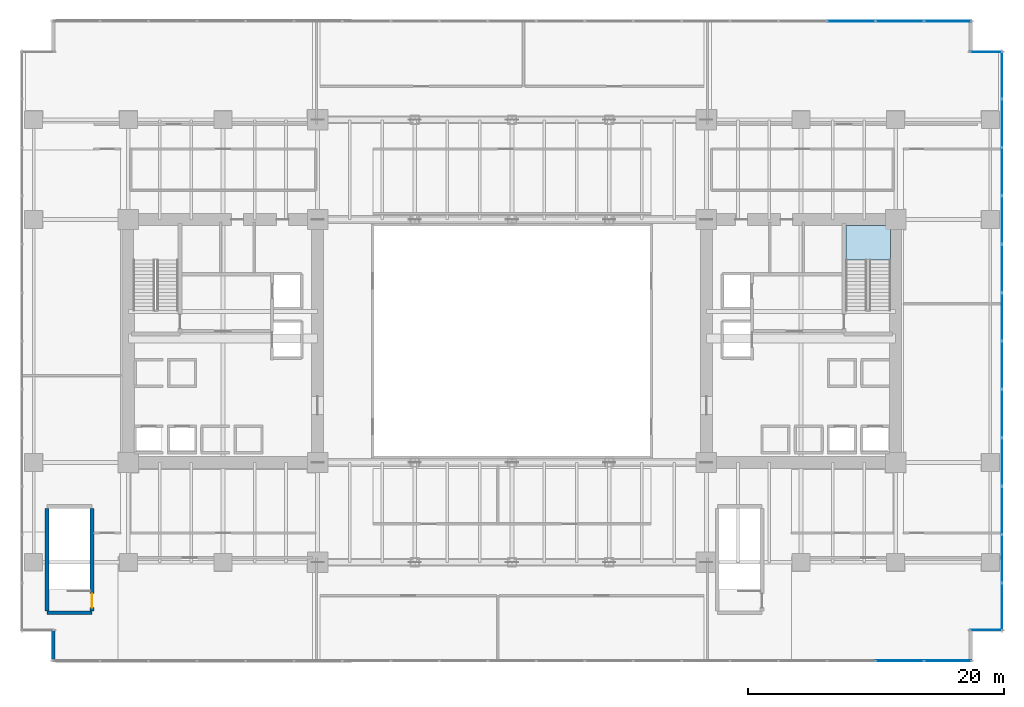
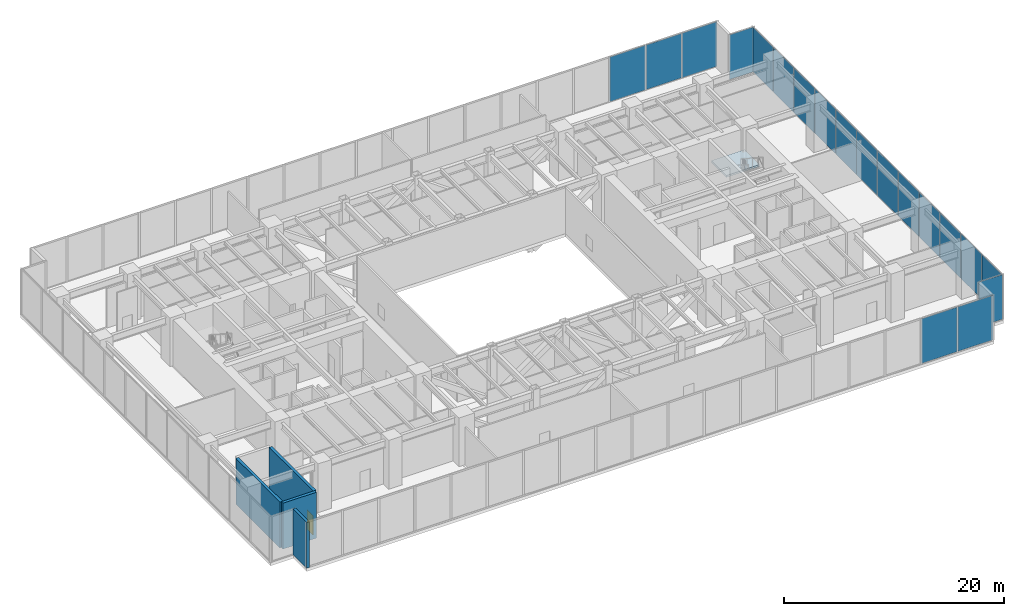
# One storey, part 27 of 35: 19 plates, 4 walls, 1 door, 1 slab, 1 opening, 6 elements without a shape of their own.
"""IFC4 building model written with IfcOpenShell, lengths in metres."""

from ifc_helpers import new_model, si_unit, direction, frame, frame_2d, origin, origin_2d, place, context, subcontext, project, spatial, polyline, rectangle, outline, extrude, source, transform, mapped, material, layer, layer_set, type_object, type_shapes, element, fill, aggregate, save


model = new_model("IFC4")

# Units and contexts
model_context = context("Model", 3, precision=1e-05, world=origin(), true_north=direction((0.0, 1.0)))
body_context = subcontext(model_context, "Body", "Model", "MODEL_VIEW")
ifc_project = project(units=[si_unit("LENGTHUNIT", "METRE"), si_unit("AREAUNIT", "SQUARE_METRE"), si_unit("VOLUMEUNIT", "CUBIC_METRE"), si_unit("PLANEANGLEUNIT", "RADIAN"), si_unit("MASSUNIT", "GRAM", prefix="KILO")], contexts=[model_context])

# Site, building, storey
site_placement = place(None, origin())
site = spatial("IfcSite", under=ifc_project, at=site_placement, CompositionType="ELEMENT")
building_placement = place(site_placement, origin())
building = spatial("IfcBuilding", under=site, at=building_placement, Name="Haelvirn Gate Laboratories", CompositionType="ELEMENT")
storey_placement = place(building_placement, frame((0.0, 0.0, 19.800048828125)))
storey = spatial("IfcBuildingStorey", under=building, at=storey_placement, Name="L05", CompositionType="ELEMENT", Elevation=19.800048828125)

# Stair, slab
ifc_material_1 = material(Name="Concrete C40/50", Category="concrete")
stair_type = type_object("IfcStairType", Name="ST-DOG-1650-R30", PredefinedType="HALF_TURN_STAIR", material=ifc_material_1)
stair_placement = place(storey_placement, origin())
stair = element("IfcStair", 1, at=stair_placement, inside=storey, type_object=stair_type, Name="L05 Escape Stair ST2", PredefinedType="HALF_TURN_STAIR")
ifc_layer_1 = layer(ifc_material_1, 0.199951171875, Name="SL-STAIR-LND")
ifc_layer_set_1 = layer_set([ifc_layer_1], Name="Concrete C40/50")
slab_type = type_object("IfcSlabType", Name="SL-STAIR-LND", PredefinedType="LANDING", material=ifc_layer_set_1)
slab_placement = place(storey_placement, frame((0.0, 0.0, 2.5)))
slab = element("IfcSlab", 2, at=slab_placement, type_object=slab_type, Name="ST2 landing 1", PredefinedType="LANDING", context=body_context, shape_type="SweptSolid", body=[
    extrude(outline(polyline([(67.0, 30.6201171875), (67.0, 33.35009765625), (63.5, 33.35009765625), (63.5, 30.6201171875), (67.0, 30.6201171875)])), origin(), (0.0, 0.0, 1.0), 0.199951171875),
])
aggregate(stair, [slab])

# Curtain wall, plate
ifc_material_2 = material(Name="Anodised bronze unitised aluminium & triple low-E glass", Category="aluminium")
ifc_layer_2 = layer(ifc_material_2, 0.18798828125, Name="CW-SYS-1")
ifc_layer_set_2 = layer_set([ifc_layer_2], Name="Anodised bronze unitised aluminium & triple low-E glass")
curtain_wall_type_1 = type_object("IfcCurtainWallType", Name="CW-SYS-1", PredefinedType="NOTDEFINED", material=ifc_layer_set_2)
curtain_wall_1_placement = place(storey_placement, origin())
curtain_wall_1 = element("IfcCurtainWall", 3, at=curtain_wall_1_placement, inside=storey, type_object=curtain_wall_type_1, Name="L05 Unitised Curtain Wall CW-L05-P0-E00-1", PredefinedType="NOTDEFINED")
ifc_material_3 = material(Name="Bronze solar-control triple low-E IGU 48 mm", Category="glass")
ifc_layer_3 = layer(ifc_material_3, 0.048095703125, Name="CWP-IGU-48")
ifc_layer_set_3 = layer_set([ifc_layer_3], Name="Bronze solar-control triple low-E IGU 48 mm")
plate_type_1 = type_object("IfcPlateType", Name="CWP-IGU-48", PredefinedType="CURTAIN_PANEL", material=ifc_layer_set_3)
shared_shape_1 = source(origin(), body_context, "Body", "SweptSolid", [
    extrude(rectangle(XDim=3.66943359375, YDim=0.048095703125, at=origin_2d()), origin(), (0.0, 0.0, 1.0), 4.93994140625),
])
plate_1_placement = place(storey_placement, frame((71.4853515625, -0.699951171875, 0.070068359375), z_axis=(0.0, 0.0, 1.0), x_axis=(1.0, 0.0, 0.0)))
plate_1 = element("IfcPlate", 4, at=plate_1_placement, type_object=plate_type_1, Name="CW1 panel 19.1", PredefinedType="CURTAIN_PANEL", context=body_context, shape_type="MappedRepresentation", body=[
    mapped(shared_shape_1, transform((0.0, 0.0, 0.0), scale=1.0)),
])

curtain_wall_2_placement = place(storey_placement, origin())
curtain_wall_2 = element("IfcCurtainWall", 5, at=curtain_wall_2_placement, inside=storey, type_object=curtain_wall_type_1, Name="L05 Unitised Curtain Wall CW-L05-P0-E06-1", PredefinedType="NOTDEFINED")
plate_2_placement = place(storey_placement, frame((71.4853515625, 49.300048828125, 0.070068359375), z_axis=(0.0, 0.0, 1.0), x_axis=(1.0, 0.0, 0.0)))
plate_2 = element("IfcPlate", 6, at=plate_2_placement, type_object=plate_type_1, Name="CW1 panel 19.1", PredefinedType="CURTAIN_PANEL", context=body_context, shape_type="MappedRepresentation", body=[
    mapped(shared_shape_1, transform((0.0, 0.0, 0.0), scale=1.0)),
])

# Plate
shared_shape_2 = source(origin(), body_context, "Body", "SweptSolid", [
    extrude(rectangle(XDim=3.70947265625, YDim=0.048095703125, at=origin_2d()), origin(), (0.0, 0.0, 1.0), 4.93994140625),
])
plate_3_placement = place(storey_placement, frame((67.7158203125, -0.699951171875, 0.070068359375), z_axis=(0.0, 0.0, 1.0), x_axis=(1.0, 0.0, 0.0)))
plate_3 = element("IfcPlate", 7, at=plate_3_placement, type_object=plate_type_1, Name="CW1 panel 18.1", PredefinedType="CURTAIN_PANEL", context=body_context, shape_type="MappedRepresentation", body=[
    mapped(shared_shape_2, transform((0.0, 0.0, 0.0), scale=1.0)),
])

aggregate(curtain_wall_1, [plate_3, plate_1])

plate_4_placement = place(storey_placement, frame((63.92626953125, 49.300048828125, 0.070068359375), z_axis=(0.0, 0.0, 1.0), x_axis=(1.0, 0.0, 0.0)))
plate_4 = element("IfcPlate", 8, at=plate_4_placement, type_object=plate_type_1, Name="CW1 panel 17.1", PredefinedType="CURTAIN_PANEL", context=body_context, shape_type="MappedRepresentation", body=[
    mapped(shared_shape_2, transform((0.0, 0.0, 0.0), scale=1.0)),
])

plate_5_placement = place(storey_placement, frame((67.7158203125, 49.300048828125, 0.070068359375), z_axis=(0.0, 0.0, 1.0), x_axis=(1.0, 0.0, 0.0)))
plate_5 = element("IfcPlate", 9, at=plate_5_placement, type_object=plate_type_1, Name="CW1 panel 18.1", PredefinedType="CURTAIN_PANEL", context=body_context, shape_type="MappedRepresentation", body=[
    mapped(shared_shape_2, transform((0.0, 0.0, 0.0), scale=1.0)),
])

aggregate(curtain_wall_2, [plate_4, plate_5, plate_2])

# Curtain wall, plate
ifc_layer_4 = layer(ifc_material_2, 0.181884765625, Name="CW-SYS-5")
ifc_layer_set_4 = layer_set([ifc_layer_4], Name="Anodised bronze unitised aluminium & triple low-E glass")
curtain_wall_type_2 = type_object("IfcCurtainWallType", Name="CW-SYS-5", PredefinedType="NOTDEFINED", material=ifc_layer_set_4)
curtain_wall_3_placement = place(storey_placement, origin())
curtain_wall_3 = element("IfcCurtainWall", 10, at=curtain_wall_3_placement, inside=storey, type_object=curtain_wall_type_2, Name="L05 Unitised Curtain Wall CW-L05-P0-E02-1", PredefinedType="NOTDEFINED")
ifc_material_4 = material(Name="Clear low-iron notched-corner triple IGU 42 mm", Category="glass")
ifc_layer_5 = layer(ifc_material_4, 0.0419921875, Name="CWP-NTC-42")
ifc_layer_set_5 = layer_set([ifc_layer_5], Name="Clear low-iron notched-corner triple IGU 42 mm")
plate_type_2 = type_object("IfcPlateType", Name="CWP-NTC-42", PredefinedType="CURTAIN_PANEL", material=ifc_layer_set_5)
shared_shape_3 = source(origin(), body_context, "Body", "SweptSolid", [
    extrude(rectangle(XDim=2.47998046875, YDim=0.0419921875, at=origin_2d()), origin(), (0.0, 0.0, 1.0), 4.949951171875),
])
type_shapes(plate_type_2, [shared_shape_3])
plate_6_placement = place(storey_placement, frame((74.47998046875, 1.699951171875, 0.06494140625), z_axis=(0.0, 0.0, 1.0), x_axis=(1.0, 0.0, 0.0)))
plate_6 = element("IfcPlate", 11, at=plate_6_placement, type_object=plate_type_2, Name="CW5 panel 1.1", PredefinedType="CURTAIN_PANEL", context=body_context, shape_type="MappedRepresentation", body=[
    mapped(shared_shape_3, transform((0.0, 0.0, 0.0), scale=1.0)),
])
aggregate(curtain_wall_3, [plate_6])

curtain_wall_4_placement = place(storey_placement, origin())
curtain_wall_4 = element("IfcCurtainWall", 12, at=curtain_wall_4_placement, inside=storey, type_object=curtain_wall_type_2, Name="L05 Unitised Curtain Wall CW-L05-P0-E04-1", PredefinedType="NOTDEFINED")
plate_7_placement = place(storey_placement, frame((74.47998046875, 46.89990234375, 0.06494140625), z_axis=(0.0, 0.0, 1.0), x_axis=(1.0, 0.0, 0.0)))
plate_7 = element("IfcPlate", 13, at=plate_7_placement, type_object=plate_type_2, Name="CW5 panel 1.1", PredefinedType="CURTAIN_PANEL", context=body_context, shape_type="MappedRepresentation", body=[
    mapped(shared_shape_3, transform((0.0, 0.0, 0.0), scale=1.0)),
])
aggregate(curtain_wall_4, [plate_7])

# Curtain wall, plates
curtain_wall_5_placement = place(storey_placement, origin())
curtain_wall_5 = element("IfcCurtainWall", 14, at=curtain_wall_5_placement, inside=storey, type_object=curtain_wall_type_1, Name="L05 Unitised Curtain Wall CW-L05-P0-E03", PredefinedType="NOTDEFINED")
shared_shape_4 = source(origin(), body_context, "Body", "SweptSolid", [
    extrude(rectangle(XDim=3.663330078125, YDim=0.048095703125, at=origin_2d()), origin(), (0.0, 0.0, 1.0), 4.93994140625),
])
plate_8_placement = place(storey_placement, frame((75.699951171875, 3.51171875, 0.070068359375), z_axis=(0.0, 0.0, 1.0), x_axis=(0.0, 1.0, 0.0)))
plate_8 = element("IfcPlate", 15, at=plate_8_placement, type_object=plate_type_1, Name="CW1 panel 1.1", PredefinedType="CURTAIN_PANEL", context=body_context, shape_type="MappedRepresentation", body=[
    mapped(shared_shape_4, transform((0.0, 0.0, 0.0), scale=1.0)),
])
plate_9_placement = place(storey_placement, frame((75.699951171875, 45.08837890625, 0.070068359375), z_axis=(0.0, 0.0, 1.0), x_axis=(0.0, 1.0, 0.0)))
plate_9 = element("IfcPlate", 16, at=plate_9_placement, type_object=plate_type_1, Name="CW1 panel 12.1", PredefinedType="CURTAIN_PANEL", context=body_context, shape_type="MappedRepresentation", body=[
    mapped(shared_shape_4, transform((0.0, 0.0, 0.0), scale=1.0)),
])
shared_shape_5 = source(origin(), body_context, "Body", "SweptSolid", [
    extrude(rectangle(XDim=3.703369140625, YDim=0.048095703125, at=origin_2d()), origin(), (0.0, 0.0, 1.0), 4.93994140625),
])
type_shapes(plate_type_1, [shared_shape_1, shared_shape_2, shared_shape_4, shared_shape_5])
plate_10_placement = place(storey_placement, frame((75.699951171875, 7.27490234375, 0.070068359375), z_axis=(0.0, 0.0, 1.0), x_axis=(0.0, 1.0, 0.0)))
plate_10 = element("IfcPlate", 17, at=plate_10_placement, type_object=plate_type_1, Name="CW1 panel 2.1", PredefinedType="CURTAIN_PANEL", context=body_context, shape_type="MappedRepresentation", body=[
    mapped(shared_shape_5, transform((0.0, 0.0, 0.0), scale=1.0)),
])
plate_11_placement = place(storey_placement, frame((75.699951171875, 11.058349609375, 0.070068359375), z_axis=(0.0, 0.0, 1.0), x_axis=(0.0, 1.0, 0.0)))
plate_11 = element("IfcPlate", 18, at=plate_11_placement, type_object=plate_type_1, Name="CW1 panel 3.1", PredefinedType="CURTAIN_PANEL", context=body_context, shape_type="MappedRepresentation", body=[
    mapped(shared_shape_5, transform((0.0, 0.0, 0.0), scale=1.0)),
])
plate_12_placement = place(storey_placement, frame((75.699951171875, 14.841552734375, 0.070068359375), z_axis=(0.0, 0.0, 1.0), x_axis=(0.0, 1.0, 0.0)))
plate_12 = element("IfcPlate", 19, at=plate_12_placement, type_object=plate_type_1, Name="CW1 panel 4.1", PredefinedType="CURTAIN_PANEL", context=body_context, shape_type="MappedRepresentation", body=[
    mapped(shared_shape_5, transform((0.0, 0.0, 0.0), scale=1.0)),
])
plate_13_placement = place(storey_placement, frame((75.699951171875, 18.625, 0.070068359375), z_axis=(0.0, 0.0, 1.0), x_axis=(0.0, 1.0, 0.0)))
plate_13 = element("IfcPlate", 20, at=plate_13_placement, type_object=plate_type_1, Name="CW1 panel 5.1", PredefinedType="CURTAIN_PANEL", context=body_context, shape_type="MappedRepresentation", body=[
    mapped(shared_shape_5, transform((0.0, 0.0, 0.0), scale=1.0)),
])
plate_14_placement = place(storey_placement, frame((75.699951171875, 22.408447265625, 0.070068359375), z_axis=(0.0, 0.0, 1.0), x_axis=(0.0, 1.0, 0.0)))
plate_14 = element("IfcPlate", 21, at=plate_14_placement, type_object=plate_type_1, Name="CW1 panel 6.1", PredefinedType="CURTAIN_PANEL", context=body_context, shape_type="MappedRepresentation", body=[
    mapped(shared_shape_5, transform((0.0, 0.0, 0.0), scale=1.0)),
])
plate_15_placement = place(storey_placement, frame((75.699951171875, 26.191650390625, 0.070068359375), z_axis=(0.0, 0.0, 1.0), x_axis=(0.0, 1.0, 0.0)))
plate_15 = element("IfcPlate", 22, at=plate_15_placement, type_object=plate_type_1, Name="CW1 panel 7.1", PredefinedType="CURTAIN_PANEL", context=body_context, shape_type="MappedRepresentation", body=[
    mapped(shared_shape_5, transform((0.0, 0.0, 0.0), scale=1.0)),
])
plate_16_placement = place(storey_placement, frame((75.699951171875, 29.97509765625, 0.070068359375), z_axis=(0.0, 0.0, 1.0), x_axis=(0.0, 1.0, 0.0)))
plate_16 = element("IfcPlate", 23, at=plate_16_placement, type_object=plate_type_1, Name="CW1 panel 8.1", PredefinedType="CURTAIN_PANEL", context=body_context, shape_type="MappedRepresentation", body=[
    mapped(shared_shape_5, transform((0.0, 0.0, 0.0), scale=1.0)),
])
plate_17_placement = place(storey_placement, frame((75.699951171875, 33.75830078125, 0.070068359375), z_axis=(0.0, 0.0, 1.0), x_axis=(0.0, 1.0, 0.0)))
plate_17 = element("IfcPlate", 24, at=plate_17_placement, type_object=plate_type_1, Name="CW1 panel 9.1", PredefinedType="CURTAIN_PANEL", context=body_context, shape_type="MappedRepresentation", body=[
    mapped(shared_shape_5, transform((0.0, 0.0, 0.0), scale=1.0)),
])
plate_18_placement = place(storey_placement, frame((75.699951171875, 37.541748046875, 0.070068359375), z_axis=(0.0, 0.0, 1.0), x_axis=(0.0, 1.0, 0.0)))
plate_18 = element("IfcPlate", 25, at=plate_18_placement, type_object=plate_type_1, Name="CW1 panel 10.1", PredefinedType="CURTAIN_PANEL", context=body_context, shape_type="MappedRepresentation", body=[
    mapped(shared_shape_5, transform((0.0, 0.0, 0.0), scale=1.0)),
])
plate_19_placement = place(storey_placement, frame((75.699951171875, 41.324951171875, 0.070068359375), z_axis=(0.0, 0.0, 1.0), x_axis=(0.0, 1.0, 0.0)))
plate_19 = element("IfcPlate", 26, at=plate_19_placement, type_object=plate_type_1, Name="CW1 panel 11.1", PredefinedType="CURTAIN_PANEL", context=body_context, shape_type="MappedRepresentation", body=[
    mapped(shared_shape_5, transform((0.0, 0.0, 0.0), scale=1.0)),
])
aggregate(curtain_wall_5, [plate_8, plate_10, plate_11, plate_12, plate_13, plate_14, plate_15, plate_16, plate_17, plate_18, plate_19, plate_9])

# Walls
ifc_material_5 = material(Name="Thermally-broken bronze aluminium rainscreen & mineral wool", Category="aluminium")
ifc_layer_6 = layer(ifc_material_5, 0.280029296875, Name="EW-TERR-280")
ifc_layer_set_6 = layer_set([ifc_layer_6], Name="Thermally-broken bronze aluminium rainscreen & mineral wool")
wall_type_1 = type_object("IfcWallType", Name="EW-TERR-280", PredefinedType="STANDARD", material=ifc_layer_set_6)
wall_1_placement = place(storey_placement, frame((1.5400390625, 1.68798828125, 0.0), z_axis=(0.0, 0.0, 1.0), x_axis=(0.0, -1.0, 0.0)))
element("IfcWall", 27, at=wall_1_placement, inside=storey, type_object=wall_type_1, Name="L05 Atrium Recess Bronze Return Wall 11", PredefinedType="STANDARD", context=body_context, shape_type="SweptSolid", body=[
    extrude(rectangle(XDim=2.488037109375, YDim=0.280029296875, at=frame_2d((1.244140625, 0.0))), origin(), (0.0, 0.0, 1.0), 5.079833984375),
])
ifc_material_6 = material(Name="Concrete C50/60", Category="concrete")
ifc_layer_7 = layer(ifc_material_6, 0.300048828125, Name="SW-STAIR-300")
ifc_layer_set_7 = layer_set([ifc_layer_7], Name="Concrete C50/60")
wall_type_2 = type_object("IfcWallType", Name="SW-STAIR-300", PredefinedType="SHEAR", material=ifc_layer_set_7)
wall_2_placement = place(storey_placement, frame((1.050048828125, 3.050048828125, 0.0), z_axis=(0.0, 0.0, 1.0), x_axis=(1.0, 0.0, 0.0)))
element("IfcWall", 28, at=wall_2_placement, inside=storey, type_object=wall_type_2, Name="L05 Podium Stair ST3 Structural Wall S", PredefinedType="SHEAR", context=body_context, shape_type="SweptSolid", body=[
    extrude(rectangle(XDim=3.5, YDim=0.300048828125, at=frame_2d((1.75, 0.0))), origin(), (0.0, 0.0, 1.0), 5.079833984375),
])
wall_3_placement = place(storey_placement, frame((1.050048828125, 3.199951171875, 0.0), z_axis=(0.0, 0.0, 1.0), x_axis=(0.0, 1.0, 0.0)))
element("IfcWall", 29, at=wall_3_placement, inside=storey, type_object=wall_type_2, Name="L05 Podium Stair ST3 Structural Wall W", PredefinedType="SHEAR", context=body_context, shape_type="SweptSolid", body=[
    extrude(rectangle(XDim=8.0, YDim=0.300048828125, at=frame_2d((4.0, 0.0))), origin(), (0.0, 0.0, 1.0), 5.079833984375),
])

# Wall, opening, door
wall_4_placement = place(storey_placement, frame((4.550048828125, 3.199951171875, 0.0), z_axis=(0.0, 0.0, 1.0), x_axis=(0.0, 1.0, 0.0)))
wall_4 = element("IfcWall", 30, at=wall_4_placement, inside=storey, type_object=wall_type_2, Name="L05 Podium Stair ST3 Structural Wall E", PredefinedType="SHEAR", context=body_context, shape_type="SweptSolid", body=[
    extrude(rectangle(XDim=8.0, YDim=0.300048828125, at=frame_2d((4.0, 0.0))), origin(), (0.0, 0.0, 1.0), 5.079833984375),
])
opening_placement = place(wall_4_placement, frame((0.25, 0.0, 0.0)))
opening = element("IfcOpeningElement", 31, at=opening_placement, cuts=wall_4, Name="Opening FD3", PredefinedType="OPENING", context=body_context, shape_type="SweptSolid", body=[
    extrude(rectangle(XDim=1.10009765625, YDim=2.14990234375, at=frame_2d((0.550048828125, 1.074951171875))), frame((0.0, 0.16015625, 0.0), z_axis=(0.0, -1.0, 0.0), x_axis=(1.0, 0.0, 0.0)), (0.0, 0.0, 1.0), 0.320068359375),
])
ifc_material_7 = material(Name="Fire-rated steel SM355 escape stair door", Category="steel")
door_type = type_object("IfcDoorType", Name="DR-FD-1100", OperationType="NOTDEFINED", PredefinedType="DOOR", material=ifc_material_7)
shared_shape_6 = source(origin(), body_context, "Body", "SweptSolid", [
    extrude(rectangle(XDim=1.10009765625, YDim=2.14990234375, at=frame_2d((0.550048828125, 1.074951171875))), frame((0.0, 0.02490234375, 0.0), z_axis=(0.0, -1.0, 0.0), x_axis=(1.0, 0.0, 0.0)), (0.0, 0.0, 1.0), 0.050048828125),
])
type_shapes(door_type, [shared_shape_6])
door_placement = place(opening_placement, origin())
door = element("IfcDoor", 32, at=door_placement, inside=storey, type_object=door_type, Name="L05 Escape Stair ST3 Fire Door", OperationType="SINGLE_SWING_RIGHT", OverallHeight=2.14990234375, OverallWidth=1.10009765625, PredefinedType="DOOR", context=body_context, shape_type="MappedRepresentation", body=[
    mapped(shared_shape_6, transform((0.0, 0.0, 0.0), scale=1.0)),
])
fill(opening, door)

save(model, "model.ifc")
